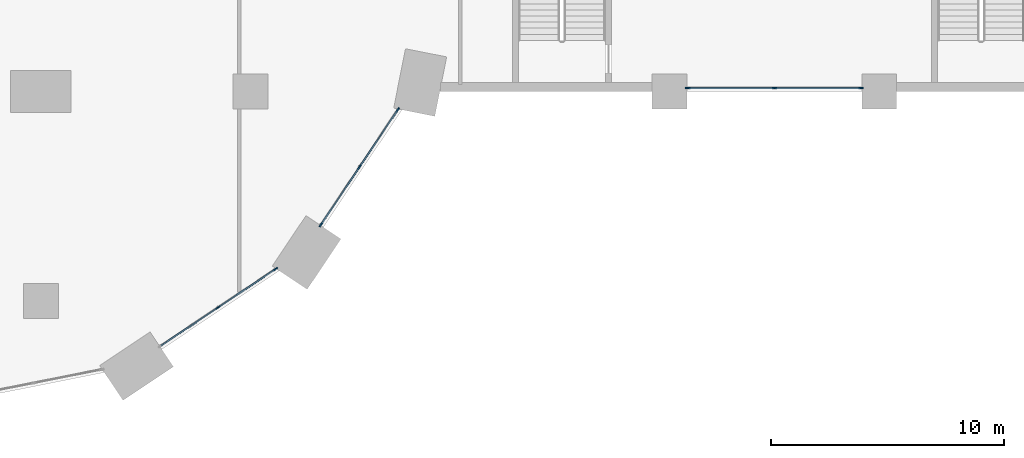
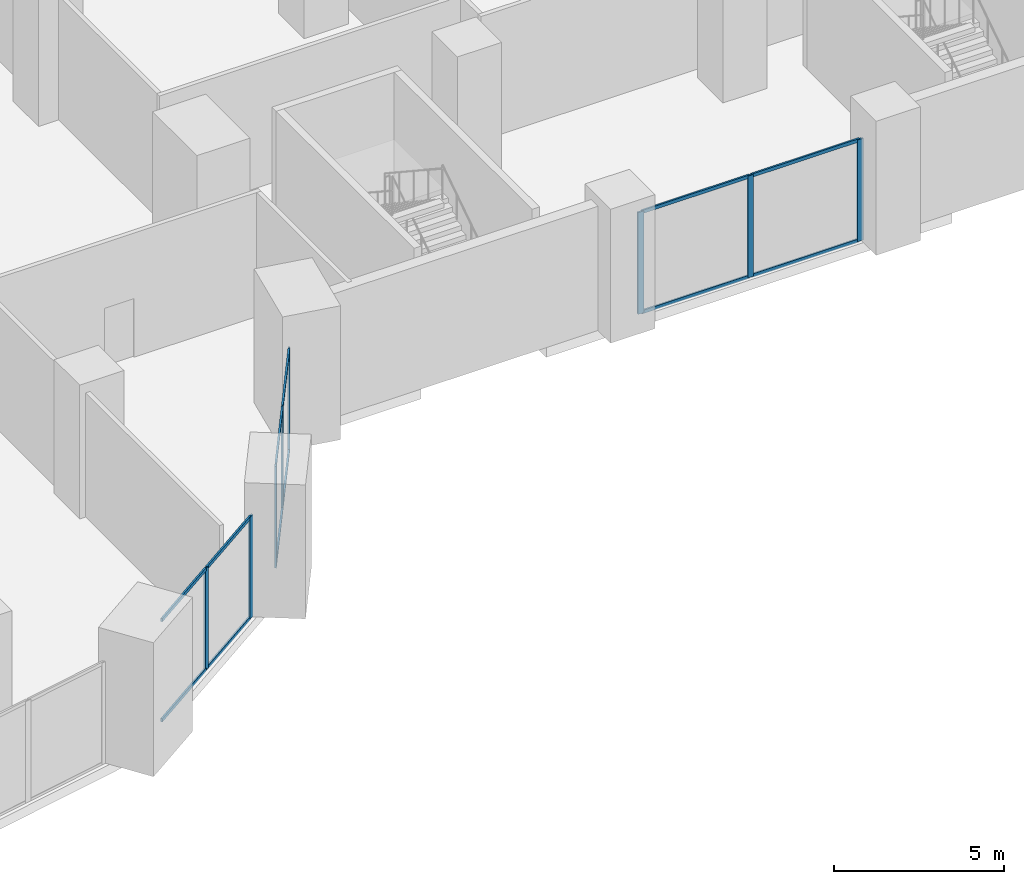
# One storey, part 4 of 31: 20 members, 3 elements without a shape of their own.
"""IFC4 building model written with IfcOpenShell, lengths in metres."""

from ifc_helpers import new_model, si_unit, direction, frame, origin, origin_2d, place, context, subcontext, project, spatial, rectangle, extrude, material, material_profile, profile_set, type_object, element, aggregate, save


model = new_model("IFC4")

# Units and contexts
model_context = context("Model", 3, precision=1e-05, world=origin(), true_north=direction((0.0, 1.0)))
body_context = subcontext(model_context, "Body", "Model", "MODEL_VIEW")
ifc_project = project(units=[si_unit("LENGTHUNIT", "METRE"), si_unit("AREAUNIT", "SQUARE_METRE"), si_unit("VOLUMEUNIT", "CUBIC_METRE"), si_unit("PLANEANGLEUNIT", "RADIAN"), si_unit("MASSUNIT", "GRAM", prefix="KILO")], contexts=[model_context])

# Site, building, storey
site_placement = place(None, origin())
site = spatial("IfcSite", under=ifc_project, at=site_placement, CompositionType="ELEMENT")
building_placement = place(site_placement, origin())
building = spatial("IfcBuilding", under=site, at=building_placement, Name="Hunhe Ridgeline Campus", CompositionType="ELEMENT")
storey_placement = place(building_placement, frame((0.0, 0.0, 16.800048828125)))
storey = spatial("IfcBuildingStorey", under=building, at=storey_placement, Name="L03", CompositionType="ELEMENT", Elevation=16.800048828125)

# Curtain wall, members
ifc_material_1 = material(Name="Aluminium and glass", Category="aluminium")
curtain_wall_type = type_object("IfcCurtainWallType", Name="Podium curtain wall CW-2", PredefinedType="NOTDEFINED", material=ifc_material_1)
curtain_wall_1_placement = place(storey_placement, origin())
curtain_wall_1 = element("IfcCurtainWall", 1, at=curtain_wall_1_placement, inside=storey, type_object=curtain_wall_type, Name="L03 podium curtain wall 14", PredefinedType="NOTDEFINED")
ifc_material_2 = material(Name="Aluminium", Category="aluminium")
ifc_material_profile_1 = material_profile(ifc_material_2, rectangle(XDim=0.06005859375, YDim=0.199951171875, at=origin_2d()))
ifc_profile_set_1 = profile_set([ifc_material_profile_1], Name="Aluminium")
member_type_1 = type_object("IfcMemberType", Name="CW-2 mullion 60x200", PredefinedType="MULLION", material=ifc_profile_set_1)
member_1_placement = place(storey_placement, frame((34.6064453125, 8.729248046875, 0.0), z_axis=(0.0, 0.0, 1.0), x_axis=(-0.555579224709, 0.831463604177, 0.0)))
member_1 = element("IfcMember", 2, at=member_1_placement, type_object=member_type_1, Name="CW2 mullion 2", PredefinedType="MULLION", context=body_context, shape_type="SweptSolid", body=[
    extrude(rectangle(XDim=0.06005859375, YDim=0.199951171875, at=origin_2d()), origin(), (0.0, 0.0, 1.0), 3.64990234375),
])
member_2_placement = place(storey_placement, frame((37.080078125, 10.3818359375, 0.0), z_axis=(0.0, 0.0, 1.0), x_axis=(-0.555579224709, 0.831463604177, 0.0)))
member_2 = element("IfcMember", 3, at=member_2_placement, type_object=member_type_1, Name="CW2 mullion 3", PredefinedType="MULLION", context=body_context, shape_type="SweptSolid", body=[
    extrude(rectangle(XDim=0.06005859375, YDim=0.199951171875, at=origin_2d()), origin(), (0.0, 0.0, 1.0), 3.64990234375),
])

curtain_wall_2_placement = place(storey_placement, origin())
curtain_wall_2 = element("IfcCurtainWall", 4, at=curtain_wall_2_placement, inside=storey, type_object=curtain_wall_type, Name="L03 podium curtain wall 15", PredefinedType="NOTDEFINED")
member_3_placement = place(storey_placement, frame((39.024169921875, 12.279296875, 0.0), z_axis=(0.0, 0.0, 1.0), x_axis=(-0.831468740176, 0.555571538247, 0.0)))
member_3 = element("IfcMember", 5, at=member_3_placement, type_object=member_type_1, Name="CW2 mullion 1", PredefinedType="MULLION", context=body_context, shape_type="SweptSolid", body=[
    extrude(rectangle(XDim=0.06005859375, YDim=0.199951171875, at=origin_2d()), origin(), (0.0, 0.0, 1.0), 3.64990234375),
])
member_4_placement = place(storey_placement, frame((40.6767578125, 14.752685546875, 0.0), z_axis=(0.0, 0.0, 1.0), x_axis=(-0.831468740176, 0.555571538247, 0.0)))
member_4 = element("IfcMember", 6, at=member_4_placement, type_object=member_type_1, Name="CW2 mullion 2", PredefinedType="MULLION", context=body_context, shape_type="SweptSolid", body=[
    extrude(rectangle(XDim=0.06005859375, YDim=0.199951171875, at=origin_2d()), origin(), (0.0, 0.0, 1.0), 3.64990234375),
])
member_5_placement = place(storey_placement, frame((42.32958984375, 17.226318359375, 0.0), z_axis=(0.0, 0.0, 1.0), x_axis=(-0.831468740176, 0.555571538247, 0.0)))
member_5 = element("IfcMember", 7, at=member_5_placement, type_object=member_type_1, Name="CW2 mullion 3", PredefinedType="MULLION", context=body_context, shape_type="SweptSolid", body=[
    extrude(rectangle(XDim=0.06005859375, YDim=0.199951171875, at=origin_2d()), origin(), (0.0, 0.0, 1.0), 3.64990234375),
])

curtain_wall_3_placement = place(storey_placement, origin())
curtain_wall_3 = element("IfcCurtainWall", 8, at=curtain_wall_3_placement, inside=storey, type_object=curtain_wall_type, Name="L03 podium curtain wall 17", PredefinedType="NOTDEFINED")
member_6_placement = place(storey_placement, frame((54.780029296875, 18.14990234375, 0.0), z_axis=(0.0, 0.0, 1.0), x_axis=(0.0, 1.0, 0.0)))
member_6 = element("IfcMember", 9, at=member_6_placement, type_object=member_type_1, Name="CW2 mullion 1", PredefinedType="MULLION", context=body_context, shape_type="SweptSolid", body=[
    extrude(rectangle(XDim=0.06005859375, YDim=0.199951171875, at=origin_2d()), origin(), (0.0, 0.0, 1.0), 3.64990234375),
])
member_7_placement = place(storey_placement, frame((58.5, 18.14990234375, 0.0), z_axis=(0.0, 0.0, 1.0), x_axis=(0.0, 1.0, 0.0)))
member_7 = element("IfcMember", 10, at=member_7_placement, type_object=member_type_1, Name="CW2 mullion 2", PredefinedType="MULLION", context=body_context, shape_type="SweptSolid", body=[
    extrude(rectangle(XDim=0.06005859375, YDim=0.199951171875, at=origin_2d()), origin(), (0.0, 0.0, 1.0), 3.64990234375),
])
member_8_placement = place(storey_placement, frame((62.219970703125, 18.14990234375, 0.0), z_axis=(0.0, 0.0, 1.0), x_axis=(0.0, 1.0, 0.0)))
member_8 = element("IfcMember", 11, at=member_8_placement, type_object=member_type_1, Name="CW2 mullion 3", PredefinedType="MULLION", context=body_context, shape_type="SweptSolid", body=[
    extrude(rectangle(XDim=0.06005859375, YDim=0.199951171875, at=origin_2d()), origin(), (0.0, 0.0, 1.0), 3.64990234375),
])

# Member
ifc_material_profile_2 = material_profile(ifc_material_2, rectangle(XDim=0.06005859375, YDim=0.1201171875, at=origin_2d()))
ifc_profile_set_2 = profile_set([ifc_material_profile_2], Name="Aluminium")
member_type_2 = type_object("IfcMemberType", Name="CW-2 transom 60x120", PredefinedType="USERDEFINED", material=ifc_profile_set_2)
member_9_placement = place(storey_placement, frame((32.157958984375, 7.093017578125, 0.030029296875), z_axis=(0.831469973626, 0.55556969226, 0.0), x_axis=(-0.55556969226, 0.831469973626, 0.0)))
member_9 = element("IfcMember", 12, at=member_9_placement, type_object=member_type_2, Name="CW2 transom 1.1", ObjectType="TRANSOM", PredefinedType="USERDEFINED", context=body_context, shape_type="SweptSolid", body=[
    extrude(rectangle(XDim=0.06005859375, YDim=0.1201171875, at=origin_2d()), origin(), (0.0, 0.0, 1.0), 2.914794921875),
])

member_10_placement = place(storey_placement, frame((32.157958984375, 7.093017578125, 3.619873046875), z_axis=(0.831469973626, 0.55556969226, 0.0), x_axis=(-0.55556969226, 0.831469973626, 0.0)))
member_10 = element("IfcMember", 13, at=member_10_placement, type_object=member_type_2, Name="CW2 transom 1.2", ObjectType="TRANSOM", PredefinedType="USERDEFINED", context=body_context, shape_type="SweptSolid", body=[
    extrude(rectangle(XDim=0.06005859375, YDim=0.1201171875, at=origin_2d()), origin(), (0.0, 0.0, 1.0), 2.914794921875),
])

member_11_placement = place(storey_placement, frame((34.63134765625, 8.745849609375, 0.030029296875), z_axis=(0.831469973626, 0.55556969226, 0.0), x_axis=(-0.55556969226, 0.831469973626, 0.0)))
member_11 = element("IfcMember", 14, at=member_11_placement, type_object=member_type_2, Name="CW2 transom 2.1", ObjectType="TRANSOM", PredefinedType="USERDEFINED", context=body_context, shape_type="SweptSolid", body=[
    extrude(rectangle(XDim=0.06005859375, YDim=0.1201171875, at=origin_2d()), origin(), (0.0, 0.0, 1.0), 2.914794921875),
])

member_12_placement = place(storey_placement, frame((34.63134765625, 8.745849609375, 3.619873046875), z_axis=(0.831469973626, 0.55556969226, 0.0), x_axis=(-0.55556969226, 0.831469973626, 0.0)))
member_12 = element("IfcMember", 15, at=member_12_placement, type_object=member_type_2, Name="CW2 transom 2.2", ObjectType="TRANSOM", PredefinedType="USERDEFINED", context=body_context, shape_type="SweptSolid", body=[
    extrude(rectangle(XDim=0.06005859375, YDim=0.1201171875, at=origin_2d()), origin(), (0.0, 0.0, 1.0), 2.914794921875),
])

aggregate(curtain_wall_1, [member_1, member_2, member_9, member_10, member_11, member_12])

member_13_placement = place(storey_placement, frame((39.040771484375, 12.30419921875, 0.030029296875), z_axis=(0.55556969226, 0.831469973626, 0.0), x_axis=(-0.831469973626, 0.55556969226, 0.0)))
member_13 = element("IfcMember", 16, at=member_13_placement, type_object=member_type_2, Name="CW2 transom 1.1", ObjectType="TRANSOM", PredefinedType="USERDEFINED", context=body_context, shape_type="SweptSolid", body=[
    extrude(rectangle(XDim=0.06005859375, YDim=0.1201171875, at=origin_2d()), origin(), (0.0, 0.0, 1.0), 2.914794921875),
])

member_14_placement = place(storey_placement, frame((39.040771484375, 12.30419921875, 3.619873046875), z_axis=(0.55556969226, 0.831469973626, 0.0), x_axis=(-0.831469973626, 0.55556969226, 0.0)))
member_14 = element("IfcMember", 17, at=member_14_placement, type_object=member_type_2, Name="CW2 transom 1.2", ObjectType="TRANSOM", PredefinedType="USERDEFINED", context=body_context, shape_type="SweptSolid", body=[
    extrude(rectangle(XDim=0.06005859375, YDim=0.1201171875, at=origin_2d()), origin(), (0.0, 0.0, 1.0), 2.914794921875),
])

member_15_placement = place(storey_placement, frame((40.693603515625, 14.77783203125, 0.030029296875), z_axis=(0.55556969226, 0.831469973626, 0.0), x_axis=(-0.831469973626, 0.55556969226, 0.0)))
member_15 = element("IfcMember", 18, at=member_15_placement, type_object=member_type_2, Name="CW2 transom 2.1", ObjectType="TRANSOM", PredefinedType="USERDEFINED", context=body_context, shape_type="SweptSolid", body=[
    extrude(rectangle(XDim=0.06005859375, YDim=0.1201171875, at=origin_2d()), origin(), (0.0, 0.0, 1.0), 2.914794921875),
])

member_16_placement = place(storey_placement, frame((40.693603515625, 14.77783203125, 3.619873046875), z_axis=(0.55556969226, 0.831469973626, 0.0), x_axis=(-0.831469973626, 0.55556969226, 0.0)))
member_16 = element("IfcMember", 19, at=member_16_placement, type_object=member_type_2, Name="CW2 transom 2.2", ObjectType="TRANSOM", PredefinedType="USERDEFINED", context=body_context, shape_type="SweptSolid", body=[
    extrude(rectangle(XDim=0.06005859375, YDim=0.1201171875, at=origin_2d()), origin(), (0.0, 0.0, 1.0), 2.914794921875),
])

aggregate(curtain_wall_2, [member_3, member_4, member_5, member_13, member_14, member_15, member_16])

member_17_placement = place(storey_placement, frame((54.81005859375, 18.14990234375, 0.030029296875), z_axis=(1.0, 0.0, 0.0), x_axis=(0.0, 1.0, 0.0)))
member_17 = element("IfcMember", 20, at=member_17_placement, type_object=member_type_2, Name="CW2 transom 1.1", ObjectType="TRANSOM", PredefinedType="USERDEFINED", context=body_context, shape_type="SweptSolid", body=[
    extrude(rectangle(XDim=0.06005859375, YDim=0.1201171875, at=origin_2d()), origin(), (0.0, 0.0, 1.0), 3.659912109375),
])

member_18_placement = place(storey_placement, frame((54.81005859375, 18.14990234375, 3.619873046875), z_axis=(1.0, 0.0, 0.0), x_axis=(0.0, 1.0, 0.0)))
member_18 = element("IfcMember", 21, at=member_18_placement, type_object=member_type_2, Name="CW2 transom 1.2", ObjectType="TRANSOM", PredefinedType="USERDEFINED", context=body_context, shape_type="SweptSolid", body=[
    extrude(rectangle(XDim=0.06005859375, YDim=0.1201171875, at=origin_2d()), origin(), (0.0, 0.0, 1.0), 3.659912109375),
])

member_19_placement = place(storey_placement, frame((58.530029296875, 18.14990234375, 0.030029296875), z_axis=(1.0, 0.0, 0.0), x_axis=(0.0, 1.0, 0.0)))
member_19 = element("IfcMember", 22, at=member_19_placement, type_object=member_type_2, Name="CW2 transom 2.1", ObjectType="TRANSOM", PredefinedType="USERDEFINED", context=body_context, shape_type="SweptSolid", body=[
    extrude(rectangle(XDim=0.06005859375, YDim=0.1201171875, at=origin_2d()), origin(), (0.0, 0.0, 1.0), 3.659912109375),
])

member_20_placement = place(storey_placement, frame((58.530029296875, 18.14990234375, 3.619873046875), z_axis=(1.0, 0.0, 0.0), x_axis=(0.0, 1.0, 0.0)))
member_20 = element("IfcMember", 23, at=member_20_placement, type_object=member_type_2, Name="CW2 transom 2.2", ObjectType="TRANSOM", PredefinedType="USERDEFINED", context=body_context, shape_type="SweptSolid", body=[
    extrude(rectangle(XDim=0.06005859375, YDim=0.1201171875, at=origin_2d()), origin(), (0.0, 0.0, 1.0), 3.659912109375),
])

aggregate(curtain_wall_3, [member_6, member_7, member_8, member_17, member_18, member_19, member_20])

save(model, "model.ifc")
